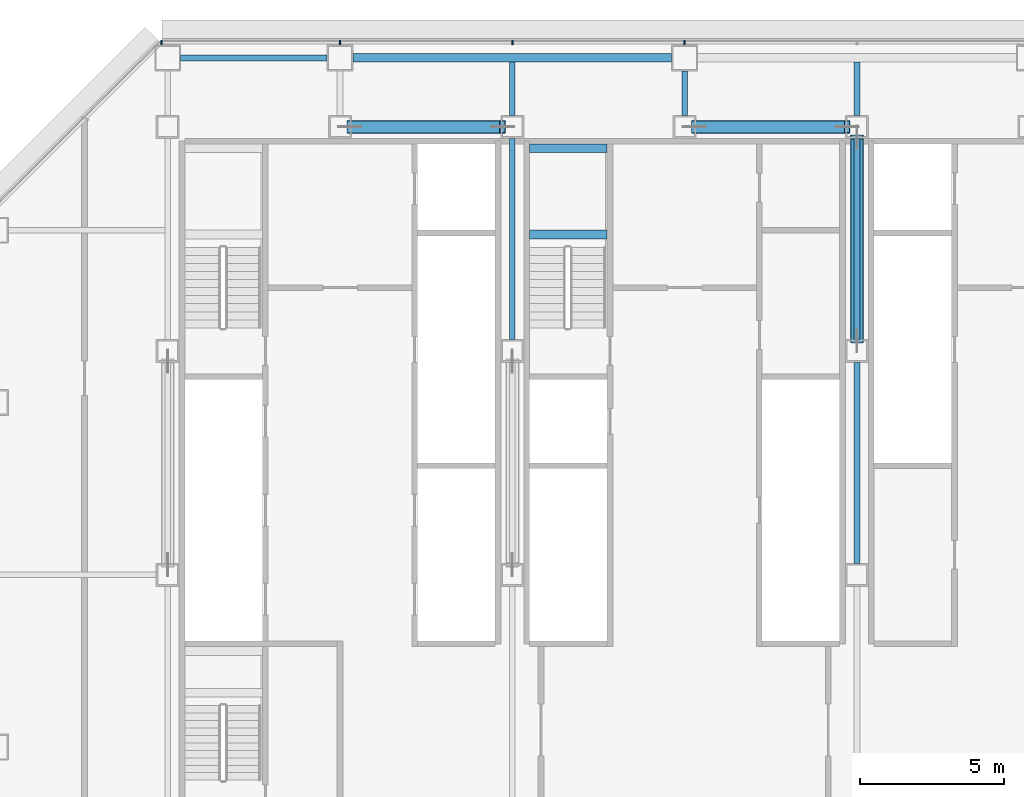
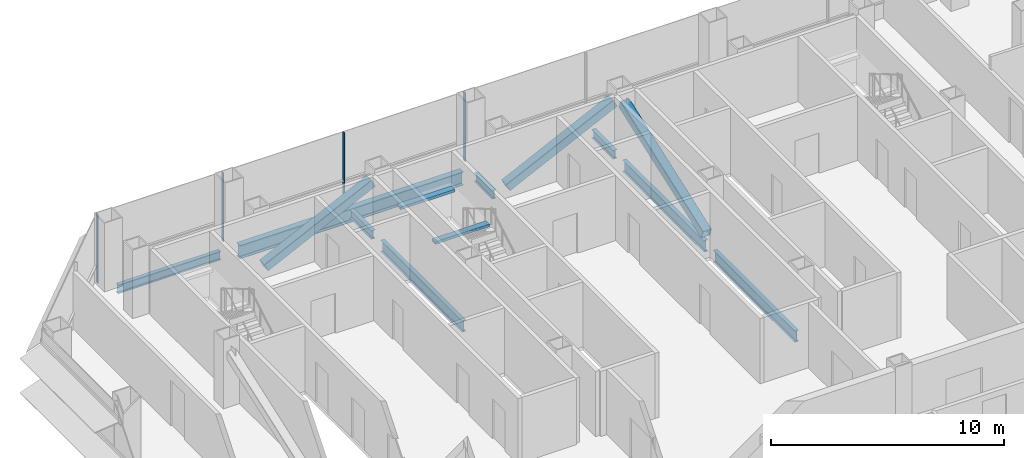
# One storey, part 12 of 27: 10 beams, 7 members, 1 element without a shape of its own.
"""IFC4 building model written with IfcOpenShell, lengths in metres."""

from ifc_helpers import new_model, si_unit, direction, frame, origin, origin_2d, place, context, subcontext, project, spatial, rectangle, hollow_rectangle, i_section, extrude, material, material_profile, profile_set, type_object, element, aggregate, save


model = new_model("IFC4")

# Units and contexts
model_context = context("Model", 3, precision=1e-05, world=origin(), true_north=direction((0.0, 1.0)))
body_context = subcontext(model_context, "Body", "Model", "MODEL_VIEW")
ifc_project = project(units=[si_unit("LENGTHUNIT", "METRE"), si_unit("AREAUNIT", "SQUARE_METRE"), si_unit("VOLUMEUNIT", "CUBIC_METRE"), si_unit("PLANEANGLEUNIT", "RADIAN"), si_unit("MASSUNIT", "GRAM", prefix="KILO")], contexts=[model_context])

# Site, building, storey
site_placement = place(None, origin())
site = spatial("IfcSite", under=ifc_project, at=site_placement, CompositionType="ELEMENT")
building_placement = place(site_placement, origin())
building = spatial("IfcBuilding", under=site, at=building_placement, Name="Sorahane Residences", CompositionType="ELEMENT")
storey_placement = place(building_placement, frame((0.0, 0.0, 57.0)))
storey = spatial("IfcBuildingStorey", under=building, at=storey_placement, Name="L10", CompositionType="ELEMENT", Elevation=57.0)

# Members
ifc_material_1 = material(Name="Steel Q355B", Category="steel")
ifc_material_profile_1 = material_profile(ifc_material_1, hollow_rectangle(XDim=0.449951171875, YDim=0.449951171875, WallThickness=0.02197265625, InnerFilletRadius=0.010986328125, OuterFilletRadius=0.032958984375, at=origin_2d()), Name="RHS 450x450x22")
ifc_profile_set_1 = profile_set([ifc_material_profile_1], Name="Steel Q355B")
member_type_1 = type_object("IfcMemberType", Name="Core brace RHS 450x450x22 Q355B", PredefinedType="BRACE", material=ifc_profile_set_1)
for number, where, z_axis, x_axis, name in (
    (1, (12.341064453125, 45.60009765625, 0.196533203125), (0.899910905173, 0.0, 0.436073804247), (0.0, 1.0, 0.0), "Core brace L10 y45.6-2"),
    (2, (24.341064453125, 45.60009765625, 0.196533203125), (0.899910905173, 0.0, 0.436073804247), (0.0, 1.0, 0.0), "Core brace L10 y45.6-4"),
):
    element("IfcMember", number, at=place(storey_placement, frame(where, z_axis=z_axis, x_axis=x_axis)), inside=storey, type_object=member_type_1, Name=name, PredefinedType="BRACE", context=body_context, shape_type="SweptSolid", body=[
        extrude(hollow_rectangle(XDim=0.449951171875, YDim=0.449951171875, WallThickness=0.02197265625, InnerFilletRadius=0.010986328125, OuterFilletRadius=0.032958984375, at=origin_2d()), origin(), (0.0, 0.0, 1.0), 5.909423828125),
    ])
member_1_placement = place(storey_placement, frame((30.0, 38.154296875, 0.20849609375), z_axis=(0.0, 0.940882869443, 0.338732085856), x_axis=(-1.0, 0.0, 0.0)))
element("IfcMember", 3, at=member_1_placement, inside=storey, type_object=member_type_1, Name="Core brace L10 x30-2", PredefinedType="BRACE", context=body_context, shape_type="SweptSolid", body=[
    extrude(hollow_rectangle(XDim=0.449951171875, YDim=0.449951171875, WallThickness=0.02197265625, InnerFilletRadius=0.010986328125, OuterFilletRadius=0.032958984375, at=origin_2d()), origin(), (0.0, 0.0, 1.0), 7.536865234375),
])

# Curtain wall, members
ifc_material_2 = material(Name="Dark low-e glass and black anodised aluminium", Category="aluminium")
curtain_wall_type = type_object("IfcCurtainWallType", Name="Curtain wall CW-1 Typical unitised wall", PredefinedType="NOTDEFINED", material=ifc_material_2)
curtain_wall_placement = place(storey_placement, origin())
curtain_wall = element("IfcCurtainWall", 4, at=curtain_wall_placement, inside=storey, type_object=curtain_wall_type, Name="CW-1 curtain wall L10 N1", PredefinedType="NOTDEFINED")
ifc_material_3 = material(Name="Black anodised aluminium", Category="aluminium")
ifc_material_profile_2 = material_profile(ifc_material_3, rectangle(XDim=0.159912109375, YDim=0.050048828125, at=origin_2d()), Name="Curtain wall mullion CW-1 black anodised aluminium 50x160")
ifc_profile_set_2 = profile_set([ifc_material_profile_2], Name="Black anodised aluminium")
member_type_2 = type_object("IfcMemberType", Name="Curtain wall mullion CW-1 black anodised aluminium 50x160", PredefinedType="MULLION", material=ifc_profile_set_2)
member_2_placement = place(storey_placement, frame((24.0, 48.5400390625, -0.179931640625), z_axis=(0.0, 0.0, 1.0), x_axis=(0.0, 1.0, 0.0)))
member_2 = element("IfcMember", 5, at=member_2_placement, type_object=member_type_2, Name="CW-1 mullion L10 N1.7", PredefinedType="MULLION", context=body_context, shape_type="SweptSolid", body=[
    extrude(rectangle(XDim=0.159912109375, YDim=0.050048828125, at=origin_2d()), origin(), (0.0, 0.0, 1.0), 3.599853515625),
])
member_3_placement = place(storey_placement, frame((18.0, 48.5400390625, -0.179931640625), z_axis=(0.0, 0.0, 1.0), x_axis=(0.0, 1.0, 0.0)))
member_3 = element("IfcMember", 6, at=member_3_placement, type_object=member_type_2, Name="CW-1 mullion L10 N1.8", PredefinedType="MULLION", context=body_context, shape_type="SweptSolid", body=[
    extrude(rectangle(XDim=0.159912109375, YDim=0.050048828125, at=origin_2d()), origin(), (0.0, 0.0, 1.0), 3.599853515625),
])
member_4_placement = place(storey_placement, frame((12.0, 48.5400390625, -0.179931640625), z_axis=(0.0, 0.0, 1.0), x_axis=(0.0, 1.0, 0.0)))
member_4 = element("IfcMember", 7, at=member_4_placement, type_object=member_type_2, Name="CW-1 mullion L10 N1.9", PredefinedType="MULLION", context=body_context, shape_type="SweptSolid", body=[
    extrude(rectangle(XDim=0.159912109375, YDim=0.050048828125, at=origin_2d()), origin(), (0.0, 0.0, 1.0), 3.599853515625),
])
member_5_placement = place(storey_placement, frame((5.7763671875, 48.5400390625, -0.179931640625), z_axis=(0.0, 0.0, 1.0), x_axis=(0.0, 1.0, 0.0)))
member_5 = element("IfcMember", 8, at=member_5_placement, type_object=member_type_2, Name="CW-1 mullion L10 N1.10", PredefinedType="MULLION", context=body_context, shape_type="SweptSolid", body=[
    extrude(rectangle(XDim=0.159912109375, YDim=0.050048828125, at=origin_2d()), origin(), (0.0, 0.0, 1.0), 3.599853515625),
])
aggregate(curtain_wall, [member_2, member_3, member_4, member_5])

# Beams
ifc_material_4 = material(Name="Concrete C40", Category="concrete")
ifc_material_profile_3 = material_profile(ifc_material_4, rectangle(XDim=0.300048828125, YDim=0.139892578125, at=origin_2d()), Name="300x140")
ifc_profile_set_3 = profile_set([ifc_material_profile_3], Name="Concrete C40")
beam_type_1 = type_object("IfcBeamType", Name="RC landing beam 300 x 140 Concrete C40", PredefinedType="BEAM", material=ifc_profile_set_3)
for number, where, z_axis, x_axis, name in (
    (9, (18.60009765625, 41.85009765625, 1.530029296875), (1.0, 0.0, 0.0), (0.0, 1.0, 0.0), "Landing beam"),
    (10, (18.60009765625, 44.85009765625, 1.530029296875), (1.0, 0.0, 0.0), (0.0, 1.0, 0.0), "Landing beam"),
):
    element("IfcBeam", number, at=place(storey_placement, frame(where, z_axis=z_axis, x_axis=x_axis)), inside=storey, type_object=beam_type_1, Name=name, PredefinedType="BEAM", context=body_context, shape_type="SweptSolid", body=[
        extrude(rectangle(XDim=0.300048828125, YDim=0.139892578125, at=origin_2d()), origin(), (0.0, 0.0, 1.0), 2.699951171875),
    ])
ifc_material_5 = material(Name="Steel Q355B", Category="steel")
ifc_material_profile_4 = material_profile(ifc_material_5, i_section(OverallWidth=0.199951171875, OverallDepth=0.449951171875, WebThickness=0.009033203125, FlangeThickness=0.013916015625, FilletRadius=0.02001953125, at=origin_2d()), Name="HN 450x200x9x14")
ifc_profile_set_4 = profile_set([ifc_material_profile_4], Name="Steel Q355B")
beam_type_2 = type_object("IfcBeamType", Name="Steel floor beam HN 450x200x9x14 Q355B", PredefinedType="BEAM", material=ifc_profile_set_4)
beam_1_placement = place(storey_placement, frame((6.449951171875, 48.0, -0.405029296875), z_axis=(1.0, 0.0, 0.0), x_axis=(0.0, 1.0, 0.0)))
element("IfcBeam", 11, at=beam_1_placement, inside=storey, type_object=beam_type_2, Name="Beam L10 012", PredefinedType="BEAM", context=body_context, shape_type="SweptSolid", body=[
    extrude(i_section(OverallWidth=0.199951171875, OverallDepth=0.449951171875, WebThickness=0.009033203125, FlangeThickness=0.013916015625, FilletRadius=0.02001953125, at=origin_2d()), origin(), (0.0, 0.0, 1.0), 5.10009765625),
])
beam_2_placement = place(storey_placement, frame((18.0, 46.0, -0.405029296875), z_axis=(0.0, 1.0, 0.0), x_axis=(-1.0, 0.0, 0.0)))
element("IfcBeam", 12, at=beam_2_placement, inside=storey, type_object=beam_type_2, Name="Beam L10 034", PredefinedType="BEAM", context=body_context, shape_type="SweptSolid", body=[
    extrude(i_section(OverallWidth=0.199951171875, OverallDepth=0.449951171875, WebThickness=0.009033203125, FlangeThickness=0.013916015625, FilletRadius=0.02001953125, at=origin_2d()), origin(), (0.0, 0.0, 1.0), 1.85009765625),
])
beam_3_placement = place(storey_placement, frame((24.0, 46.0, -0.405029296875), z_axis=(0.0, 1.0, 0.0), x_axis=(-1.0, 0.0, 0.0)))
element("IfcBeam", 13, at=beam_3_placement, inside=storey, type_object=beam_type_2, Name="Beam L10 036", PredefinedType="BEAM", context=body_context, shape_type="SweptSolid", body=[
    extrude(i_section(OverallWidth=0.199951171875, OverallDepth=0.449951171875, WebThickness=0.009033203125, FlangeThickness=0.013916015625, FilletRadius=0.02001953125, at=origin_2d()), origin(), (0.0, 0.0, 1.0), 1.550048828125),
])
beam_4_placement = place(storey_placement, frame((30.0, 46.0, -0.405029296875), z_axis=(0.0, 1.0, 0.0), x_axis=(-1.0, 0.0, 0.0)))
element("IfcBeam", 14, at=beam_4_placement, inside=storey, type_object=beam_type_2, Name="Beam L10 042", PredefinedType="BEAM", context=body_context, shape_type="SweptSolid", body=[
    extrude(i_section(OverallWidth=0.199951171875, OverallDepth=0.449951171875, WebThickness=0.009033203125, FlangeThickness=0.013916015625, FilletRadius=0.02001953125, at=origin_2d()), origin(), (0.0, 0.0, 1.0), 1.85009765625),
])
ifc_material_6 = material(Name="Steel Q355B", Category="steel")
ifc_material_profile_5 = material_profile(ifc_material_6, i_section(OverallWidth=0.199951171875, OverallDepth=0.60009765625, WebThickness=0.010986328125, FlangeThickness=0.01708984375, FilletRadius=0.02392578125, at=origin_2d()), Name="HN 600x200x11x17")
ifc_profile_set_5 = profile_set([ifc_material_profile_5], Name="Steel Q355B")
beam_type_3 = type_object("IfcBeamType", Name="Steel floor beam HN 600x200x11x17 Q355B", PredefinedType="BEAM", material=ifc_profile_set_5)
for number, where, z_axis, x_axis, name in (
    (15, (18.0, 38.199951171875, -0.47998046875), (0.0, 1.0, 0.0), (-1.0, 0.0, 0.0), "Beam L10 033"),
    (16, (30.0, 30.39990234375, -0.47998046875), (0.0, 1.0, 0.0), (-1.0, 0.0, 0.0), "Beam L10 040"),
    (17, (30.0, 38.199951171875, -0.47998046875), (0.0, 1.0, 0.0), (-1.0, 0.0, 0.0), "Beam L10 041"),
):
    element("IfcBeam", number, at=place(storey_placement, frame(where, z_axis=z_axis, x_axis=x_axis)), inside=storey, type_object=beam_type_3, Name=name, PredefinedType="BEAM", context=body_context, shape_type="SweptSolid", body=[
        extrude(i_section(OverallWidth=0.199951171875, OverallDepth=0.60009765625, WebThickness=0.010986328125, FlangeThickness=0.01708984375, FilletRadius=0.02392578125, at=origin_2d()), origin(), (0.0, 0.0, 1.0), 7.0),
    ])
ifc_material_7 = material(Name="Steel Q355B", Category="steel")
ifc_material_profile_6 = material_profile(ifc_material_7, i_section(OverallWidth=0.300048828125, OverallDepth=0.699951171875, WebThickness=0.012939453125, FlangeThickness=0.02392578125, FilletRadius=0.028076171875, at=origin_2d()), Name="HN 700x300x13x24")
ifc_profile_set_6 = profile_set([ifc_material_profile_6], Name="Steel Q355B")
beam_type_4 = type_object("IfcBeamType", Name="Steel floor beam HN 700x300x13x24 Q355B", PredefinedType="BEAM", material=ifc_profile_set_6)
beam_5_placement = place(storey_placement, frame((12.449951171875, 48.0, -0.530029296875), z_axis=(1.0, 0.0, 0.0), x_axis=(0.0, 1.0, 0.0)))
element("IfcBeam", 18, at=beam_5_placement, inside=storey, type_object=beam_type_4, Name="Beam L10 013", PredefinedType="BEAM", context=body_context, shape_type="SweptSolid", body=[
    extrude(i_section(OverallWidth=0.300048828125, OverallDepth=0.699951171875, WebThickness=0.012939453125, FlangeThickness=0.02392578125, FilletRadius=0.028076171875, at=origin_2d()), origin(), (0.0, 0.0, 1.0), 11.10009765625),
])

save(model, "model.ifc")
